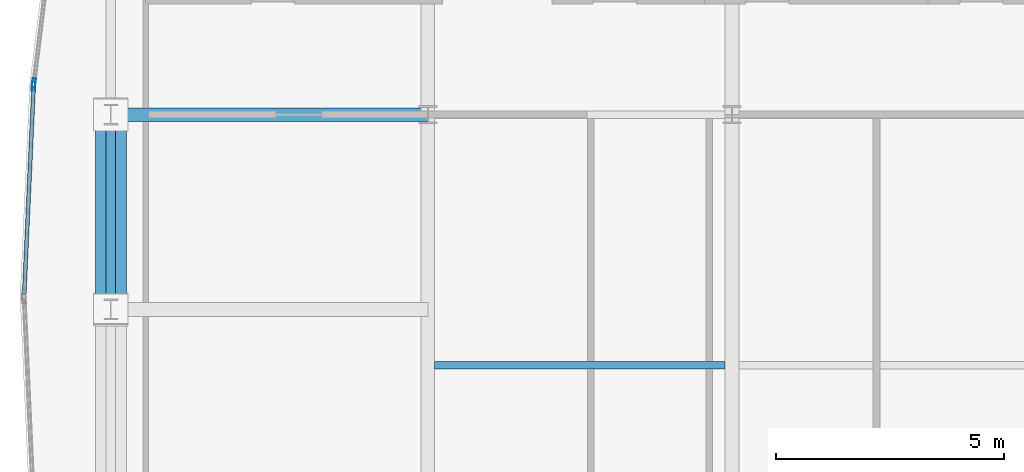
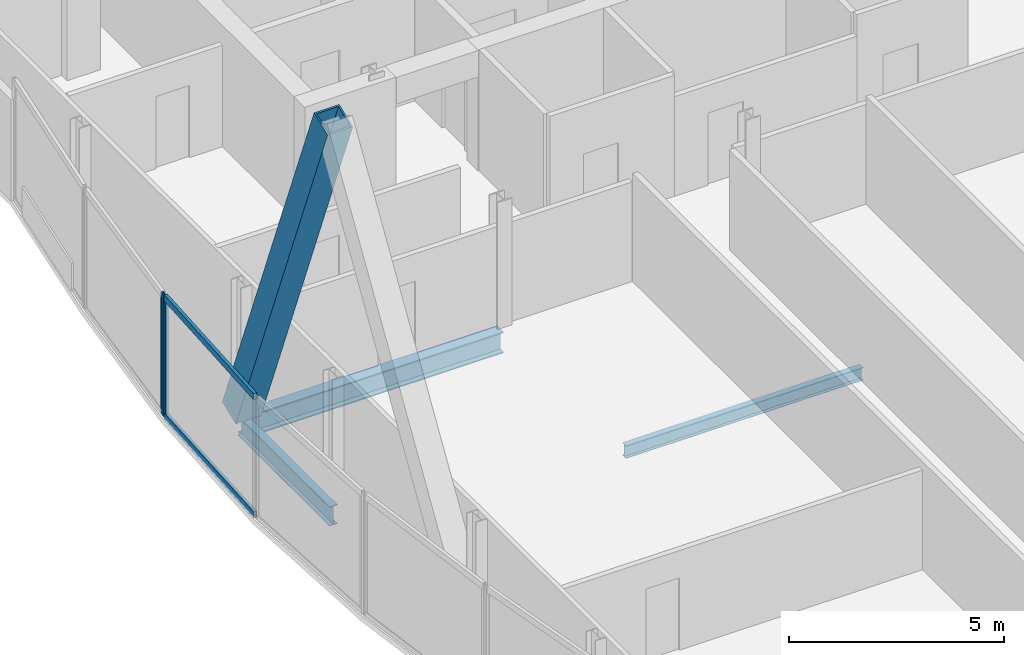
# One storey, part 10 of 29: 5 members, 3 beams, 2 elements without a shape of their own.
"""IFC4 building model written with IfcOpenShell, lengths in metres."""

from ifc_helpers import new_model, si_unit, direction, frame, origin, origin_2d, place, context, subcontext, project, spatial, hollow_rectangle, i_section, extrude, material, material_profile, profile_set, type_object, element, aggregate, save


model = new_model("IFC4")

# Units and contexts
model_context = context("Model", 3, precision=1e-05, world=origin(), true_north=direction((0.0, 1.0)))
body_context = subcontext(model_context, "Body", "Model", "MODEL_VIEW")
ifc_project = project(units=[si_unit("LENGTHUNIT", "METRE"), si_unit("AREAUNIT", "SQUARE_METRE"), si_unit("VOLUMEUNIT", "CUBIC_METRE"), si_unit("PLANEANGLEUNIT", "RADIAN"), si_unit("MASSUNIT", "GRAM", prefix="KILO")], contexts=[model_context])

# Site, building, storey
site_placement = place(None, origin())
site = spatial("IfcSite", under=ifc_project, at=site_placement, CompositionType="ELEMENT")
building_placement = place(site_placement, origin())
building = spatial("IfcBuilding", under=site, at=building_placement, Name="Khoronbel Lancet Exchange", CompositionType="ELEMENT")
storey_placement = place(building_placement, frame((0.0, 0.0, 336.199951171875)))
storey = spatial("IfcBuildingStorey", under=building, at=storey_placement, Name="L87", CompositionType="ELEMENT", Elevation=336.199951171875)

# Beams
ifc_material_1 = material(Name="Steel S355", Category="steel")
ifc_material_profile_1 = material_profile(ifc_material_1, i_section(OverallWidth=0.300048828125, OverallDepth=0.60009765625, WebThickness=0.015380859375, FlangeThickness=0.030029296875, at=origin_2d()), Name="HEB 600")
ifc_profile_set_1 = profile_set([ifc_material_profile_1], Name="Steel S355")
beam_type_1 = type_object("IfcBeamType", Name="BM-BG5", PredefinedType="BEAM", material=ifc_profile_set_1)
beam_1_placement = place(storey_placement, frame((11.27001953125, 35.699951171875, -0.4599609375), z_axis=(1.0, 0.0, 0.0), x_axis=(0.0, 1.0, 0.0)))
element("IfcBeam", 1, at=beam_1_placement, inside=storey, type_object=beam_type_1, Name="Level L87 west lens tie girder LG4W", PredefinedType="BEAM", context=body_context, shape_type="SweptSolid", body=[
    extrude(i_section(OverallWidth=0.300048828125, OverallDepth=0.60009765625, WebThickness=0.015380859375, FlangeThickness=0.030029296875, at=origin_2d()), origin(), (0.0, 0.0, 1.0), 6.955078125),
])
ifc_material_profile_2 = material_profile(ifc_material_1, i_section(OverallWidth=0.169921875, OverallDepth=0.360107421875, WebThickness=0.008056640625, FlangeThickness=0.0126953125, at=origin_2d()), Name="IPE 360")
ifc_profile_set_2 = profile_set([ifc_material_profile_2], Name="Steel S355")
beam_type_2 = type_object("IfcBeamType", Name="BM-BJ6", PredefinedType="JOIST", material=ifc_profile_set_2)
beam_2_placement = place(storey_placement, frame((18.375, 30.199951171875, -0.33984375), z_axis=(1.0, 0.0, 0.0), x_axis=(0.0, 1.0, 0.0)))
element("IfcBeam", 2, at=beam_2_placement, inside=storey, type_object=beam_type_2, Name="Level L87 secondary composite joist J07", PredefinedType="JOIST", context=body_context, shape_type="SweptSolid", body=[
    extrude(i_section(OverallWidth=0.169921875, OverallDepth=0.360107421875, WebThickness=0.008056640625, FlangeThickness=0.0126953125, at=origin_2d()), origin(), (0.0, 0.0, 1.0), 6.375),
])
ifc_material_profile_3 = material_profile(ifc_material_1, i_section(OverallWidth=0.2099609375, OverallDepth=0.550048828125, WebThickness=0.010986328125, FlangeThickness=0.01708984375, at=origin_2d()), Name="IPE 550")
ifc_profile_set_3 = profile_set([ifc_material_profile_3], Name="Steel S355")
beam_type_3 = type_object("IfcBeamType", Name="BM-BSP3", PredefinedType="SPANDREL", material=ifc_profile_set_3)
beam_3_placement = place(storey_placement, frame((11.27001953125, 35.699951171875, -0.43505859375), z_axis=(0.0, -1.0, 0.0), x_axis=(1.0, 0.0, 0.0)))
element("IfcBeam", 3, at=beam_3_placement, inside=storey, type_object=beam_type_3, Name="Level L87 perimeter spandrel beam SP16", PredefinedType="SPANDREL", context=body_context, shape_type="SweptSolid", body=[
    extrude(i_section(OverallWidth=0.2099609375, OverallDepth=0.550048828125, WebThickness=0.010986328125, FlangeThickness=0.01708984375, at=origin_2d()), origin(), (0.0, 0.0, 1.0), 4.27490234375),
])

# Curtain wall, member
ifc_material_2 = material(Name="Low-E Solar Control Insulating Glass", Category="glass")
curtain_wall_type = type_object("IfcCurtainWallType", Name="CW-4", PredefinedType="NOTDEFINED", material=ifc_material_2)
curtain_wall_1_placement = place(storey_placement, origin())
curtain_wall_1 = element("IfcCurtainWall", 4, at=curtain_wall_1_placement, inside=storey, type_object=curtain_wall_type, Name="Unitised curtain wall CW-L87-E07", PredefinedType="NOTDEFINED")
ifc_material_3 = material(Name="Bronze-Anodised Aluminium 6063-T6", Category="aluminium")
ifc_material_profile_4 = material_profile(ifc_material_3, hollow_rectangle(XDim=0.074951171875, YDim=0.199951171875, WallThickness=0.0048828125, at=origin_2d()), Name="ALU MULLION 75x200")
ifc_profile_set_4 = profile_set([ifc_material_profile_4], Name="Bronze-Anodised Aluminium 6063-T6")
member_type_1 = type_object("IfcMemberType", Name="MEM-CWM2", PredefinedType="MULLION", material=ifc_profile_set_4)
member_1_placement = place(storey_placement, frame((9.57421875, 36.321533203125, 0.0), z_axis=(0.0, 0.0, 1.0), x_axis=(-0.998978991195, 0.04517715298, 0.0)))
member_1 = element("IfcMember", 5, at=member_1_placement, type_object=member_type_1, Name="CW4 mullion 2", PredefinedType="MULLION", context=body_context, shape_type="SweptSolid", body=[
    extrude(hollow_rectangle(XDim=0.074951171875, YDim=0.199951171875, WallThickness=0.0048828125, at=origin_2d()), origin(), (0.0, 0.0, 1.0), 3.43994140625),
])

curtain_wall_2_placement = place(storey_placement, origin())
curtain_wall_2 = element("IfcCurtainWall", 6, at=curtain_wall_2_placement, inside=storey, type_object=curtain_wall_type, Name="Unitised curtain wall CW-L87-E08", PredefinedType="NOTDEFINED")
member_2_placement = place(storey_placement, frame((9.580322265625, 36.396240234375, 0.0), z_axis=(0.0, 0.0, 1.0), x_axis=(-0.992456344352, 0.122598550384, 0.0)))
member_2 = element("IfcMember", 7, at=member_2_placement, type_object=member_type_1, Name="CW4 mullion 1", PredefinedType="MULLION", context=body_context, shape_type="SweptSolid", body=[
    extrude(hollow_rectangle(XDim=0.074951171875, YDim=0.199951171875, WallThickness=0.0048828125, at=origin_2d()), origin(), (0.0, 0.0, 1.0), 3.43994140625),
])
aggregate(curtain_wall_2, [member_2])

# Member
ifc_material_profile_5 = material_profile(ifc_material_3, hollow_rectangle(XDim=0.0849609375, YDim=0.179931640625, WallThickness=0.0048828125, at=origin_2d()), Name="ALU TRANSOM 85x180")
ifc_profile_set_5 = profile_set([ifc_material_profile_5], Name="Bronze-Anodised Aluminium 6063-T6")
member_type_2 = type_object("IfcMemberType", Name="MEM-CWT1", PredefinedType="USERDEFINED", material=ifc_profile_set_5)
member_3_placement = place(storey_placement, frame((9.368408203125, 31.77490234375, 0.04248046875), z_axis=(0.045216294325, 0.998977220325, 0.0), x_axis=(-0.998977220325, 0.045216294325, 0.0)))
member_3 = element("IfcMember", 8, at=member_3_placement, type_object=member_type_2, Name="CW4 transom 1.1", ObjectType="TRANSOM", PredefinedType="USERDEFINED", context=body_context, shape_type="SweptSolid", body=[
    extrude(hollow_rectangle(XDim=0.0849609375, YDim=0.179931640625, WallThickness=0.0048828125, at=origin_2d()), origin(), (0.0, 0.0, 1.0), 4.513916015625),
])

member_4_placement = place(storey_placement, frame((9.368408203125, 31.77490234375, 3.3974609375), z_axis=(0.045216294325, 0.998977220325, 0.0), x_axis=(-0.998977220325, 0.045216294325, 0.0)))
member_4 = element("IfcMember", 9, at=member_4_placement, type_object=member_type_2, Name="CW4 transom 1.2", ObjectType="TRANSOM", PredefinedType="USERDEFINED", context=body_context, shape_type="SweptSolid", body=[
    extrude(hollow_rectangle(XDim=0.0849609375, YDim=0.179931640625, WallThickness=0.0048828125, at=origin_2d()), origin(), (0.0, 0.0, 1.0), 4.513916015625),
])

aggregate(curtain_wall_1, [member_1, member_3, member_4])

ifc_material_4 = material(Name="Steel S460", Category="steel")
ifc_material_profile_6 = material_profile(ifc_material_4, hollow_rectangle(XDim=0.679931640625, YDim=0.679931640625, WallThickness=0.044921875, at=origin_2d()), Name="BOX 680x680x45")
ifc_profile_set_6 = profile_set([ifc_material_profile_6], Name="Steel S460")
member_type_3 = type_object("IfcMemberType", Name="MEM-MB3", PredefinedType="BRACE", material=ifc_profile_set_6)
member_5_placement = place(storey_placement, frame((11.27001953125, 35.699951171875, 0.0), z_axis=(0.0, -0.368039743753, 0.929810059646), x_axis=(1.0, 0.0, 0.0)))
element("IfcMember", 10, at=member_5_placement, inside=storey, type_object=member_type_3, Name="Perimeter lancet brace tier 30 W-P-R", PredefinedType="BRACE", context=body_context, shape_type="SweptSolid", body=[
    extrude(hollow_rectangle(XDim=0.679931640625, YDim=0.679931640625, WallThickness=0.044921875, at=origin_2d()), origin(), (0.0, 0.0, 1.0), 11.615234375),
])

save(model, "model.ifc")
